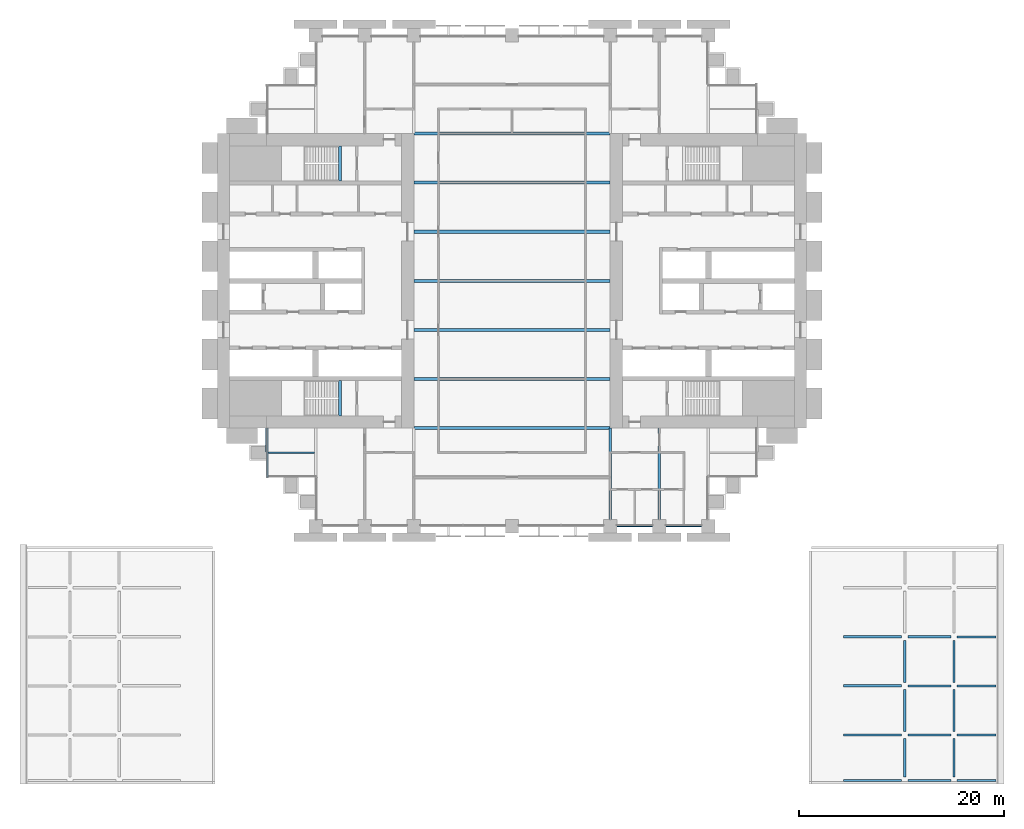
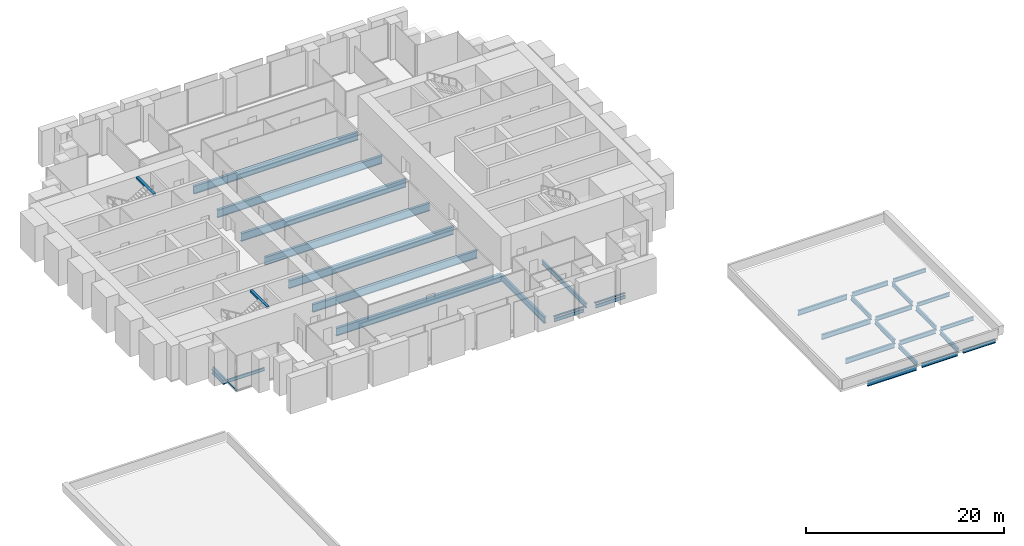
# One storey, part 3 of 14: 33 beams, 3 members, 2 elements without a shape of their own.
"""IFC4 building model written with IfcOpenShell, lengths in metres."""

from ifc_helpers import new_model, si_unit, direction, frame, origin, origin_2d, place, context, subcontext, project, spatial, rectangle, i_section, extrude, material, material_profile, profile_set, type_object, element, aggregate, save


model = new_model("IFC4")

# Units and contexts
model_context = context("Model", 3, precision=1e-05, world=origin(), true_north=direction((0.0, 1.0)))
body_context = subcontext(model_context, "Body", "Model", "MODEL_VIEW")
ifc_project = project(units=[si_unit("LENGTHUNIT", "METRE"), si_unit("AREAUNIT", "SQUARE_METRE"), si_unit("VOLUMEUNIT", "CUBIC_METRE"), si_unit("PLANEANGLEUNIT", "RADIAN"), si_unit("MASSUNIT", "GRAM", prefix="KILO")], contexts=[model_context])

# Site, building, storey
site_placement = place(None, origin())
site = spatial("IfcSite", under=ifc_project, at=site_placement, CompositionType="ELEMENT")
building_placement = place(site_placement, origin())
building = spatial("IfcBuilding", under=site, at=building_placement, Name="Baori Bourse Tower", CompositionType="ELEMENT")
storey_placement = place(building_placement, frame((0.0, 0.0, 30.199951171875)))
storey = spatial("IfcBuildingStorey", under=building, at=storey_placement, Name="L05", CompositionType="ELEMENT", Elevation=30.199951171875)

# Curtain wall, members
ifc_material_1 = material(Name="Pale anodised aluminium", Category="aluminium")
curtain_wall_type_1 = type_object("IfcCurtainWallType", Name="CW1 Curtain wall", PredefinedType="NOTDEFINED", material=ifc_material_1)
curtain_wall_1_placement = place(storey_placement, origin())
curtain_wall_1 = element("IfcCurtainWall", 1, at=curtain_wall_1_placement, inside=storey, type_object=curtain_wall_type_1, Name="Curtain wall CW1 L05 11", PredefinedType="NOTDEFINED")
ifc_material_2 = material(Name="Pale anodised aluminium", Category="aluminium")
ifc_material_profile_1 = material_profile(ifc_material_2, rectangle(XDim=0.199951171875, YDim=0.080078125, at=origin_2d()), Name="Transom 80x200")
ifc_profile_set_1 = profile_set([ifc_material_profile_1], Name="Pale anodised aluminium")
member_type_1 = type_object("IfcMemberType", Name="CW1 Curtain wall transom", PredefinedType="USERDEFINED", material=ifc_profile_set_1)
member_1_placement = place(storey_placement, frame((39.050048828125, 0.10009765625, 0.0400390625), z_axis=(1.0, 0.0, 0.0), x_axis=(0.0, 1.0, 0.0)))
member_1 = element("IfcMember", 2, at=member_1_placement, type_object=member_type_1, Name="Curtain wall CW1 sill rail", ObjectType="TRANSOM", PredefinedType="USERDEFINED", context=body_context, shape_type="SweptSolid", body=[
    extrude(rectangle(XDim=0.199951171875, YDim=0.080078125, at=origin_2d()), origin(), (0.0, 0.0, 1.0), 3.5),
])
member_2_placement = place(storey_placement, frame((43.85009765625, 0.10009765625, 0.0400390625), z_axis=(1.0, 0.0, 0.0), x_axis=(0.0, 1.0, 0.0)))
member_2 = element("IfcMember", 3, at=member_2_placement, type_object=member_type_1, Name="Curtain wall CW1 sill rail", ObjectType="TRANSOM", PredefinedType="USERDEFINED", context=body_context, shape_type="SweptSolid", body=[
    extrude(rectangle(XDim=0.199951171875, YDim=0.080078125, at=origin_2d()), origin(), (0.0, 0.0, 1.0), 3.5),
])
aggregate(curtain_wall_1, [member_1, member_2])

# Curtain wall, member
ifc_material_3 = material(Name="Pale anodised aluminium", Category="aluminium")
curtain_wall_type_2 = type_object("IfcCurtainWallType", Name="CW2 Curtain wall", PredefinedType="NOTDEFINED", material=ifc_material_3)
curtain_wall_2_placement = place(storey_placement, origin())
curtain_wall_2 = element("IfcCurtainWall", 4, at=curtain_wall_2_placement, inside=storey, type_object=curtain_wall_type_2, Name="Curtain wall CW2 L05 8", PredefinedType="NOTDEFINED")
ifc_material_4 = material(Name="Pale anodised aluminium", Category="aluminium")
ifc_material_profile_2 = material_profile(ifc_material_4, rectangle(XDim=0.179931640625, YDim=0.070068359375, at=origin_2d()), Name="Transom 70x180")
ifc_profile_set_2 = profile_set([ifc_material_profile_2], Name="Pale anodised aluminium")
member_type_2 = type_object("IfcMemberType", Name="CW2 Curtain wall transom", PredefinedType="USERDEFINED", material=ifc_profile_set_2)
member_3_placement = place(storey_placement, frame((4.889892578125, 9.60009765625, 0.03515625), z_axis=(0.0, -1.0, 0.0), x_axis=(1.0, 0.0, 0.0)))
member_3 = element("IfcMember", 5, at=member_3_placement, type_object=member_type_2, Name="Curtain wall CW2 sill rail", ObjectType="TRANSOM", PredefinedType="USERDEFINED", context=body_context, shape_type="SweptSolid", body=[
    extrude(rectangle(XDim=0.179931640625, YDim=0.070068359375, at=origin_2d()), origin(), (0.0, 0.0, 1.0), 4.800048828125),
])
aggregate(curtain_wall_2, [member_3])

# Beams
ifc_material_5 = material(Name="Steel A992 Gr 50", Category="steel")
ifc_material_profile_3 = material_profile(ifc_material_5, i_section(OverallWidth=0.21240234375, OverallDepth=0.54345703125, WebThickness=0.01318359375, FlangeThickness=0.021240234375, at=origin_2d()), Name="W21x83")
ifc_profile_set_3 = profile_set([ifc_material_profile_3], Name="Steel A992 Gr 50")
beam_type_1 = type_object("IfcBeamType", Name="Core bracket W21x83", PredefinedType="BEAM", material=ifc_profile_set_3)
beam_1_placement = place(storey_placement, frame((4.800048828125, 7.270263671875, -0.431640625), z_axis=(0.0, 1.0, 0.0), x_axis=(-1.0, 0.0, 0.0)))
element("IfcBeam", 6, at=beam_1_placement, inside=storey, type_object=beam_type_1, Name="Core bracket L05", PredefinedType="BEAM", context=body_context, shape_type="SweptSolid", body=[
    extrude(i_section(OverallWidth=0.21240234375, OverallDepth=0.54345703125, WebThickness=0.01318359375, FlangeThickness=0.021240234375, at=origin_2d()), origin(), (0.0, 0.0, 1.0), 2.329833984375),
])
ifc_material_6 = material(Name="Steel A992 Gr 50", Category="steel")
ifc_material_profile_4 = material_profile(ifc_material_6, i_section(OverallWidth=0.140380859375, OverallDepth=0.40380859375, WebThickness=0.007080078125, FlangeThickness=0.01123046875, at=origin_2d()), Name="W16x31")
ifc_profile_set_4 = profile_set([ifc_material_profile_4], Name="Steel A992 Gr 50")
beam_type_2 = type_object("IfcBeamType", Name="Edge beam W16x31", PredefinedType="BEAM", material=ifc_profile_set_4)
for number, where, z_axis, x_axis, name in (
    (7, (39.050048828125, 0.0, -0.36181640625), (1.0, 0.0, 0.0), (0.0, 1.0, 0.0), "Edge beam L05"),
    (8, (43.85009765625, 0.0, -0.36181640625), (1.0, 0.0, 0.0), (0.0, 1.0, 0.0), "Edge beam L05"),
):
    element("IfcBeam", number, at=place(storey_placement, frame(where, z_axis=z_axis, x_axis=x_axis)), inside=storey, type_object=beam_type_2, Name=name, PredefinedType="BEAM", context=body_context, shape_type="SweptSolid", body=[
        extrude(i_section(OverallWidth=0.140380859375, OverallDepth=0.40380859375, WebThickness=0.007080078125, FlangeThickness=0.01123046875, at=origin_2d()), origin(), (0.0, 0.0, 1.0), 3.5),
    ])
ifc_material_7 = material(Name="Steel A992 Gr 50", Category="steel")
ifc_material_profile_5 = material_profile(ifc_material_7, i_section(OverallWidth=0.209228515625, OverallDepth=0.533447265625, WebThickness=0.01025390625, FlangeThickness=0.015625, at=origin_2d()), Name="W21x62")
ifc_profile_set_5 = profile_set([ifc_material_profile_5], Name="Steel A992 Gr 50")
beam_type_3 = type_object("IfcBeamType", Name="Floor beam W21x62", PredefinedType="BEAM", material=ifc_profile_set_5)
beam_2_placement = place(storey_placement, frame((43.199951171875, 0.64990234375, -0.4267578125), z_axis=(0.0, 1.0, 0.0), x_axis=(-1.0, 0.0, 0.0)))
element("IfcBeam", 9, at=beam_2_placement, inside=storey, type_object=beam_type_3, Name="Floor beam L05", PredefinedType="BEAM", context=body_context, shape_type="SweptSolid", body=[
    extrude(i_section(OverallWidth=0.209228515625, OverallDepth=0.533447265625, WebThickness=0.01025390625, FlangeThickness=0.015625, at=origin_2d()), origin(), (0.0, 0.0, 1.0), 8.9501953125),
])
ifc_material_8 = material(Name="Steel A992 Gr 50", Category="steel")
ifc_material_profile_6 = material_profile(ifc_material_8, i_section(OverallWidth=0.2998046875, OverallDepth=0.97021484375, WebThickness=0.01611328125, FlangeThickness=0.02099609375, at=origin_2d()), Name="W40x149")
ifc_profile_set_6 = profile_set([ifc_material_profile_6], Name="Steel A992 Gr 50")
beam_type_4 = type_object("IfcBeamType", Name="Floor beam W40x149", PredefinedType="BEAM", material=ifc_profile_set_6)
for number, where, z_axis, x_axis, name in (
    (10, (19.199951171875, 9.60009765625, -0.64501953125), (1.0, 0.0, 0.0), (0.0, 1.0, 0.0), "Floor beam L05"),
    (11, (19.199951171875, 14.39990234375, -0.64501953125), (1.0, 0.0, 0.0), (0.0, 1.0, 0.0), "Floor beam L05"),
    (12, (19.199951171875, 19.199951171875, -0.64501953125), (1.0, 0.0, 0.0), (0.0, 1.0, 0.0), "Floor beam L05"),
    (13, (19.199951171875, 24.0, -0.64501953125), (1.0, 0.0, 0.0), (0.0, 1.0, 0.0), "Floor beam L05"),
    (14, (19.199951171875, 28.800048828125, -0.64501953125), (1.0, 0.0, 0.0), (0.0, 1.0, 0.0), "Floor beam L05"),
    (15, (19.199951171875, 33.60009765625, -0.64501953125), (1.0, 0.0, 0.0), (0.0, 1.0, 0.0), "Floor beam L05"),
    (16, (19.199951171875, 38.39990234375, -0.64501953125), (1.0, 0.0, 0.0), (0.0, 1.0, 0.0), "Floor beam L05"),
):
    element("IfcBeam", number, at=place(storey_placement, frame(where, z_axis=z_axis, x_axis=x_axis)), inside=storey, type_object=beam_type_4, Name=name, PredefinedType="BEAM", context=body_context, shape_type="SweptSolid", body=[
        extrude(i_section(OverallWidth=0.2998046875, OverallDepth=0.97021484375, WebThickness=0.01611328125, FlangeThickness=0.02099609375, at=origin_2d()), origin(), (0.0, 0.0, 1.0), 19.199951171875),
    ])
ifc_material_9 = material(Name="Steel A992 Gr 50", Category="steel")
ifc_material_profile_7 = material_profile(ifc_material_9, i_section(OverallWidth=0.2666015625, OverallDepth=0.7568359375, WebThickness=0.013916015625, FlangeThickness=0.019287109375, at=origin_2d()), Name="W30x108")
ifc_profile_set_7 = profile_set([ifc_material_profile_7], Name="Steel A992 Gr 50")
beam_type_5 = type_object("IfcBeamType", Name="Girder W30x108", PredefinedType="BEAM", material=ifc_profile_set_7)
beam_3_placement = place(storey_placement, frame((38.39990234375, 0.64990234375, -0.538330078125), z_axis=(0.0, 1.0, 0.0), x_axis=(-1.0, 0.0, 0.0)))
element("IfcBeam", 17, at=beam_3_placement, inside=storey, type_object=beam_type_5, Name="Girder L05", PredefinedType="BEAM", context=body_context, shape_type="SweptSolid", body=[
    extrude(i_section(OverallWidth=0.2666015625, OverallDepth=0.7568359375, WebThickness=0.013916015625, FlangeThickness=0.019287109375, at=origin_2d()), origin(), (0.0, 0.0, 1.0), 8.9501953125),
])
ifc_material_10 = material(Name="Concrete f'c 50 MPa", Category="concrete")
ifc_material_profile_8 = material_profile(ifc_material_10, rectangle(XDim=0.300048828125, YDim=0.25, at=origin_2d()), Name="RC 300x250")
ifc_profile_set_8 = profile_set([ifc_material_profile_8], Name="Concrete f'c 50 MPa")
beam_type_6 = type_object("IfcBeamType", Name="Stair nib beam RC 300x250", PredefinedType="BEAM", material=ifc_profile_set_8)
for number, where, z_axis, x_axis, name in (
    (18, (12.0, 10.800048828125, 4.114990234375), (0.0, 1.0, 0.0), (-1.0, 0.0, 0.0), "Stair WA nib beam L06"),
    (19, (12.0, 33.75, 4.114990234375), (0.0, 1.0, 0.0), (-1.0, 0.0, 0.0), "Stair WB nib beam L06"),
):
    element("IfcBeam", number, at=place(storey_placement, frame(where, z_axis=z_axis, x_axis=x_axis)), inside=storey, type_object=beam_type_6, Name=name, PredefinedType="BEAM", context=body_context, shape_type="SweptSolid", body=[
        extrude(rectangle(XDim=0.300048828125, YDim=0.25, at=origin_2d()), origin(), (0.0, 0.0, 1.0), 3.449951171875),
    ])
ifc_material_11 = material(Name="Steel A992 Gr 50", Category="steel")
ifc_material_profile_9 = material_profile(ifc_material_11, i_section(OverallWidth=0.140380859375, OverallDepth=0.40380859375, WebThickness=0.007080078125, FlangeThickness=0.01123046875, at=origin_2d()), Name="W16x31")
ifc_profile_set_9 = profile_set([ifc_material_profile_9], Name="Steel A992 Gr 50")
beam_type_7 = type_object("IfcBeamType", Name="Trimmer beam W16x31", PredefinedType="BEAM", material=ifc_profile_set_9)
beam_4_placement = place(storey_placement, frame((4.800048828125, 7.199951171875, -0.36181640625), z_axis=(1.0, 0.0, 0.0), x_axis=(0.0, 1.0, 0.0)))
element("IfcBeam", 20, at=beam_4_placement, inside=storey, type_object=beam_type_7, Name="Trimmer beam L05", PredefinedType="BEAM", context=body_context, shape_type="SweptSolid", body=[
    extrude(i_section(OverallWidth=0.140380859375, OverallDepth=0.40380859375, WebThickness=0.007080078125, FlangeThickness=0.01123046875, at=origin_2d()), origin(), (0.0, 0.0, 1.0), 4.68603515625),
])
ifc_material_12 = material(Name="Steel A992 Gr 50", Category="steel")
ifc_material_profile_10 = material_profile(ifc_material_12, i_section(OverallWidth=0.1904296875, OverallDepth=0.457275390625, WebThickness=0.009033203125, FlangeThickness=0.014404296875, at=origin_2d()), Name="W18x50")
ifc_profile_set_10 = profile_set([ifc_material_profile_10], Name="Steel A992 Gr 50")
beam_type_8 = type_object("IfcBeamType", Name="Wing beam W18x50", PredefinedType="BEAM", material=ifc_profile_set_10)
for number, where, z_axis, x_axis, name in (
    (21, (76.115478515625, -24.85009765625, -0.77392578125), (-1.0, 0.0, 0.0), (0.0, -1.0, 0.0), "wing/L05/Ebeam/001"),
    (22, (76.115478515625, -20.39990234375, -0.71533203125), (-1.0, 0.0, 0.0), (0.0, -1.0, 0.0), "wing/L05/Ebeam/004"),
    (23, (76.115478515625, -15.60009765625, -0.65234375), (-1.0, 0.0, 0.0), (0.0, -1.0, 0.0), "wing/L05/Ebeam/007"),
    (24, (76.115478515625, -10.800048828125, -0.589111328125), (-1.0, 0.0, 0.0), (0.0, -1.0, 0.0), "wing/L05/Ebeam/010"),
):
    element("IfcBeam", number, at=place(storey_placement, frame(where, z_axis=z_axis, x_axis=x_axis)), inside=storey, type_object=beam_type_8, Name=name, PredefinedType="BEAM", context=body_context, shape_type="SweptSolid", body=[
        extrude(i_section(OverallWidth=0.1904296875, OverallDepth=0.457275390625, WebThickness=0.009033203125, FlangeThickness=0.014404296875, at=origin_2d()), origin(), (0.0, 0.0, 1.0), 3.8154296875),
    ])
ifc_material_13 = material(Name="Steel A992 Gr 50", Category="steel")
ifc_material_profile_11 = material_profile(ifc_material_13, i_section(OverallWidth=0.209228515625, OverallDepth=0.533447265625, WebThickness=0.01025390625, FlangeThickness=0.015625, at=origin_2d()), Name="W21x62")
ifc_profile_set_11 = profile_set([ifc_material_profile_11], Name="Steel A992 Gr 50")
beam_type_9 = type_object("IfcBeamType", Name="Wing beam W21x62", PredefinedType="BEAM", material=ifc_profile_set_11)
for number, where, z_axis, x_axis, name in (
    (25, (71.699951171875, -24.85009765625, -0.81201171875), (-1.0, 0.0, 0.0), (0.0, -1.0, 0.0), "wing/L05/Ebeam/002"),
    (26, (71.699951171875, -20.39990234375, -0.75341796875), (-1.0, 0.0, 0.0), (0.0, -1.0, 0.0), "wing/L05/Ebeam/005"),
    (27, (71.699951171875, -15.60009765625, -0.6904296875), (-1.0, 0.0, 0.0), (0.0, -1.0, 0.0), "wing/L05/Ebeam/008"),
    (28, (71.699951171875, -10.800048828125, -0.627197265625), (-1.0, 0.0, 0.0), (0.0, -1.0, 0.0), "wing/L05/Ebeam/011"),
):
    element("IfcBeam", number, at=place(storey_placement, frame(where, z_axis=z_axis, x_axis=x_axis)), inside=storey, type_object=beam_type_9, Name=name, PredefinedType="BEAM", context=body_context, shape_type="SweptSolid", body=[
        extrude(i_section(OverallWidth=0.209228515625, OverallDepth=0.533447265625, WebThickness=0.01025390625, FlangeThickness=0.015625, at=origin_2d()), origin(), (0.0, 0.0, 1.0), 4.199951171875),
    ])
beam_5_placement = place(storey_placement, frame((72.0, -24.5, -0.807373046875), z_axis=(0.0, 0.999913536267, 0.013149904579), x_axis=(-1.0, 0.0, 0.0)))
element("IfcBeam", 29, at=beam_5_placement, inside=storey, type_object=beam_type_9, Name="wing/L05/Ebeamy/001", PredefinedType="BEAM", context=body_context, shape_type="SweptSolid", body=[
    extrude(i_section(OverallWidth=0.209228515625, OverallDepth=0.533447265625, WebThickness=0.01025390625, FlangeThickness=0.015625, at=origin_2d()), origin(), (0.0, 0.0, 1.0), 3.750244140625),
])
for number, where, z_axis, x_axis, name in (
    (30, (72.0, -20.050048828125, -0.748779296875), (0.0, 0.999913425528, 0.013158322439), (-1.0, 0.0, 0.0), "wing/L05/Ebeamy/002"),
    (31, (72.0, -15.25, -0.685791015625), (0.0, 0.999913425528, 0.013158322439), (-1.0, 0.0, 0.0), "wing/L05/Ebeamy/003"),
):
    element("IfcBeam", number, at=place(storey_placement, frame(where, z_axis=z_axis, x_axis=x_axis)), inside=storey, type_object=beam_type_9, Name=name, PredefinedType="BEAM", context=body_context, shape_type="SweptSolid", body=[
        extrude(i_section(OverallWidth=0.209228515625, OverallDepth=0.533447265625, WebThickness=0.01025390625, FlangeThickness=0.015625, at=origin_2d()), origin(), (0.0, 0.0, 1.0), 4.100341796875),
    ])
beam_6_placement = place(storey_placement, frame((67.199951171875, -24.5, -0.807373046875), z_axis=(0.0, 0.999913536267, 0.013149904579), x_axis=(-1.0, 0.0, 0.0)))
element("IfcBeam", 32, at=beam_6_placement, inside=storey, type_object=beam_type_9, Name="wing/L05/Ebeamy/006", PredefinedType="BEAM", context=body_context, shape_type="SweptSolid", body=[
    extrude(i_section(OverallWidth=0.209228515625, OverallDepth=0.533447265625, WebThickness=0.01025390625, FlangeThickness=0.015625, at=origin_2d()), origin(), (0.0, 0.0, 1.0), 3.750244140625),
])
for number, where, z_axis, x_axis, name in (
    (33, (67.199951171875, -20.050048828125, -0.748779296875), (0.0, 0.999913425528, 0.013158322439), (-1.0, 0.0, 0.0), "wing/L05/Ebeamy/007"),
    (34, (67.199951171875, -15.25, -0.685791015625), (0.0, 0.999913425528, 0.013158322439), (-1.0, 0.0, 0.0), "wing/L05/Ebeamy/008"),
):
    element("IfcBeam", number, at=place(storey_placement, frame(where, z_axis=z_axis, x_axis=x_axis)), inside=storey, type_object=beam_type_9, Name=name, PredefinedType="BEAM", context=body_context, shape_type="SweptSolid", body=[
        extrude(i_section(OverallWidth=0.209228515625, OverallDepth=0.533447265625, WebThickness=0.01025390625, FlangeThickness=0.015625, at=origin_2d()), origin(), (0.0, 0.0, 1.0), 4.100341796875),
    ])
ifc_material_14 = material(Name="Steel A992 Gr 50", Category="steel")
ifc_material_profile_12 = material_profile(ifc_material_14, i_section(OverallWidth=0.22900390625, OverallDepth=0.612060546875, WebThickness=0.011962890625, FlangeThickness=0.01953125, at=origin_2d()), Name="W24x84")
ifc_profile_set_12 = profile_set([ifc_material_profile_12], Name="Steel A992 Gr 50")
beam_type_10 = type_object("IfcBeamType", Name="Wing beam W24x84", PredefinedType="BEAM", material=ifc_profile_set_12)
for number, where, z_axis, x_axis, name in (
    (35, (66.89990234375, -24.85009765625, -0.851318359375), (-1.0, 0.0, 0.0), (0.0, -1.0, 0.0), "wing/L05/Ebeam/003"),
    (36, (66.89990234375, -20.39990234375, -0.79296875), (-1.0, 0.0, 0.0), (0.0, -1.0, 0.0), "wing/L05/Ebeam/006"),
    (37, (66.89990234375, -15.60009765625, -0.729736328125), (-1.0, 0.0, 0.0), (0.0, -1.0, 0.0), "wing/L05/Ebeam/009"),
    (38, (66.89990234375, -10.800048828125, -0.66650390625), (-1.0, 0.0, 0.0), (0.0, -1.0, 0.0), "wing/L05/Ebeam/012"),
):
    element("IfcBeam", number, at=place(storey_placement, frame(where, z_axis=z_axis, x_axis=x_axis)), inside=storey, type_object=beam_type_10, Name=name, PredefinedType="BEAM", context=body_context, shape_type="SweptSolid", body=[
        extrude(i_section(OverallWidth=0.22900390625, OverallDepth=0.612060546875, WebThickness=0.011962890625, FlangeThickness=0.01953125, at=origin_2d()), origin(), (0.0, 0.0, 1.0), 5.699951171875),
    ])

save(model, "model.ifc")
